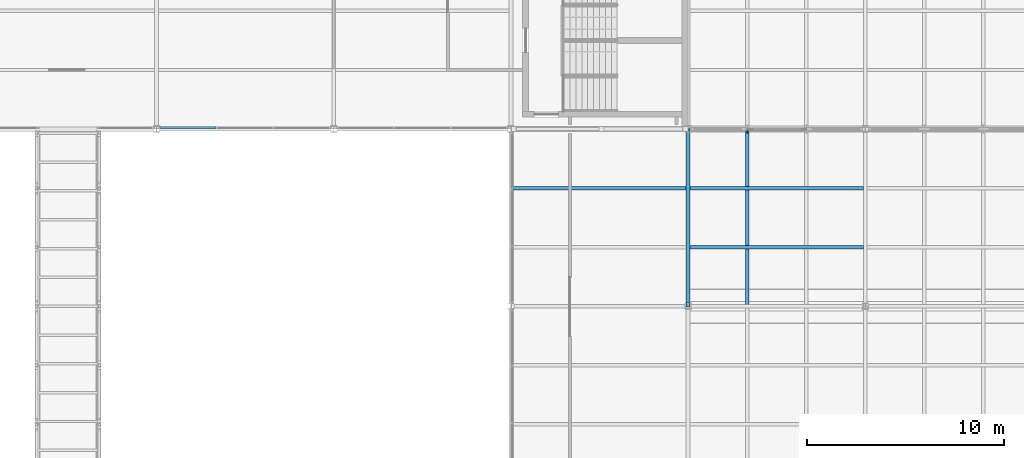
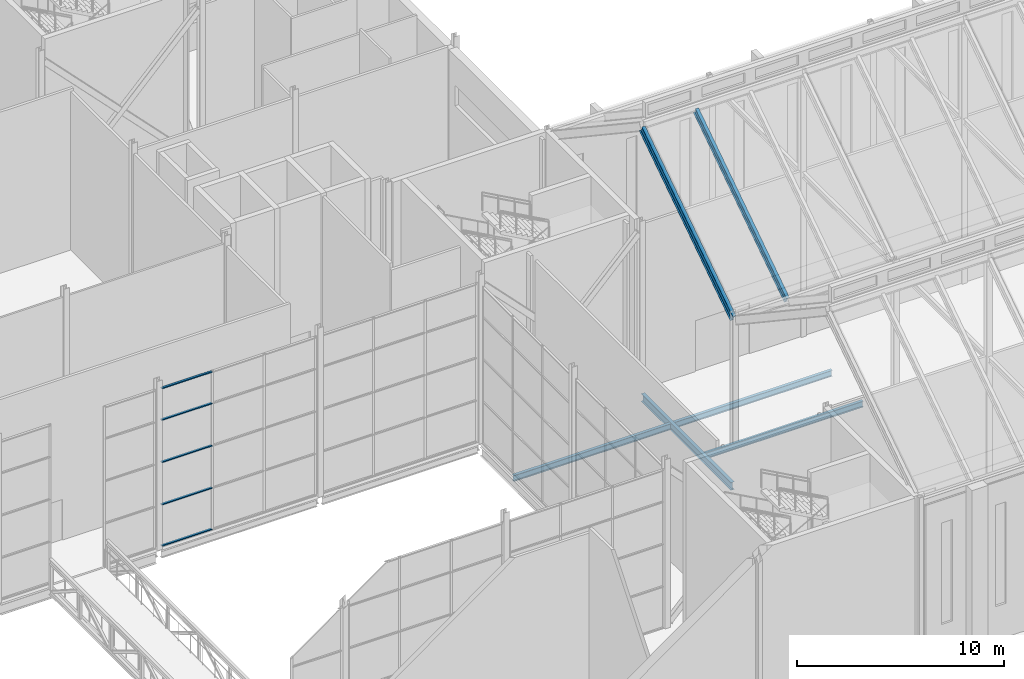
# One storey, part 59 of 111: 7 members, 4 beams, 1 element without a shape of its own.
"""IFC4 building model written with IfcOpenShell, lengths in metres."""

from ifc_helpers import new_model, si_unit, direction, frame, origin, origin_2d, place, context, subcontext, project, spatial, hollow_rectangle, i_section, extrude, material, layer, layer_set, material_profile, profile_set, type_object, element, aggregate, save


model = new_model("IFC4")

# Units and contexts
model_context = context("Model", 3, precision=1e-05, world=origin(), true_north=direction((0.0, 1.0)))
body_context = subcontext(model_context, "Body", "Model", "MODEL_VIEW")
ifc_project = project(units=[si_unit("LENGTHUNIT", "METRE"), si_unit("AREAUNIT", "SQUARE_METRE"), si_unit("VOLUMEUNIT", "CUBIC_METRE"), si_unit("PLANEANGLEUNIT", "RADIAN"), si_unit("MASSUNIT", "GRAM", prefix="KILO")], contexts=[model_context])

# Site, building, storey
site_placement = place(None, origin())
site = spatial("IfcSite", under=ifc_project, at=site_placement, CompositionType="ELEMENT")
building_placement = place(site_placement, origin())
building = spatial("IfcBuilding", under=site, at=building_placement, Name="Shorebreak Coast Museum", CompositionType="ELEMENT")
storey_placement = place(building_placement, frame((0.0, 0.0, 16.0)))
storey = spatial("IfcBuildingStorey", under=building, at=storey_placement, Name="L03", CompositionType="ELEMENT", Elevation=16.0)

# Beams
ifc_material_1 = material(Name="Steel Grade 300", Category="steel")
ifc_material_profile_1 = material_profile(ifc_material_1, i_section(OverallWidth=0.18994140625, OverallDepth=0.453857421875, WebThickness=0.008544921875, FlangeThickness=0.0126953125, FilletRadius=0.011474609375, at=origin_2d()), Name="460UB67.1")
ifc_profile_set_1 = profile_set([ifc_material_profile_1], Name="Steel Grade 300")
beam_type_1 = type_object("IfcBeamType", Name="Floor girder north-south 460UB67.1", PredefinedType="BEAM", material=ifc_profile_set_1)
beam_1_placement = place(storey_placement, frame((117.0, 72.1572265625, -0.40185546875), z_axis=(0.0, 1.0, 0.0), x_axis=(-1.0, 0.0, 0.0)))
element("IfcBeam", 1, at=beam_1_placement, inside=storey, type_object=beam_type_1, Name="Floor girder north-south L03 14J", PredefinedType="BEAM", context=body_context, shape_type="SweptSolid", body=[
    extrude(i_section(OverallWidth=0.18994140625, OverallDepth=0.453857421875, WebThickness=0.008544921875, FlangeThickness=0.0126953125, FilletRadius=0.011474609375, at=origin_2d()), origin(), (0.0, 0.0, 1.0), 8.685546875),
])
ifc_material_2 = material(Name="Steel Grade 300", Category="steel")
ifc_material_profile_2 = material_profile(ifc_material_2, i_section(OverallWidth=0.1708984375, OverallDepth=0.35205078125, WebThickness=0.0068359375, FlangeThickness=0.009765625, FilletRadius=0.011474609375, at=origin_2d()), Name="360UB44.7")
ifc_profile_set_2 = profile_set([ifc_material_profile_2], Name="Steel Grade 300")
beam_type_2 = type_object("IfcBeamType", Name="Floor joist 360UB44.7", PredefinedType="JOIST", material=ifc_profile_set_2)
for number, where, z_axis, x_axis, name in (
    (2, (117.094970703125, 75.0, -0.35107421875), (1.0, 0.0, 0.0), (0.0, 1.0, 0.0), "Floor joist L03 bay 14J at 3000 mm"),
    (3, (117.094970703125, 78.0, -0.35107421875), (1.0, 0.0, 0.0), (0.0, 1.0, 0.0), "Floor joist L03 bay 14J at 6000 mm"),
):
    element("IfcBeam", number, at=place(storey_placement, frame(where, z_axis=z_axis, x_axis=x_axis)), inside=storey, type_object=beam_type_2, Name=name, PredefinedType="JOIST", context=body_context, shape_type="SweptSolid", body=[
        extrude(i_section(OverallWidth=0.1708984375, OverallDepth=0.35205078125, WebThickness=0.0068359375, FlangeThickness=0.009765625, FilletRadius=0.011474609375, at=origin_2d()), origin(), (0.0, 0.0, 1.0), 8.81005859375),
    ])
ifc_material_3 = material(Name="Steel Grade 300", Category="steel")
ifc_material_profile_3 = material_profile(ifc_material_3, i_section(OverallWidth=0.1708984375, OverallDepth=0.355712890625, WebThickness=0.00732421875, FlangeThickness=0.011474609375, FilletRadius=0.011474609375, at=origin_2d()), Name="360UB50.7")
ifc_profile_set_3 = profile_set([ifc_material_profile_3], Name="Steel Grade 300")
beam_type_3 = type_object("IfcBeamType", Name="Floor joist 360UB50.7", PredefinedType="JOIST", material=ifc_profile_set_3)
beam_2_placement = place(storey_placement, frame((108.1044921875, 78.0, -0.352783203125), z_axis=(1.0, 0.0, 0.0), x_axis=(0.0, 1.0, 0.0)))
element("IfcBeam", 4, at=beam_2_placement, inside=storey, type_object=beam_type_3, Name="Floor joist L03 bay 13J at 6000 mm", PredefinedType="JOIST", context=body_context, shape_type="SweptSolid", body=[
    extrude(i_section(OverallWidth=0.1708984375, OverallDepth=0.355712890625, WebThickness=0.00732421875, FlangeThickness=0.011474609375, FilletRadius=0.011474609375, at=origin_2d()), origin(), (0.0, 0.0, 1.0), 8.800537109375),
])

# Members
ifc_material_4 = material(Name="Steel Grade 300", Category="steel")
ifc_material_profile_4 = material_profile(ifc_material_4, i_section(OverallWidth=0.177978515625, OverallDepth=0.402587890625, WebThickness=0.007568359375, FlangeThickness=0.010986328125, FilletRadius=0.011474609375, at=origin_2d()), Name="410UB53.7")
ifc_profile_set_4 = profile_set([ifc_material_profile_4], Name="Steel Grade 300")
member_type_1 = type_object("IfcMemberType", Name="Fold rafter 410UB53.7", PredefinedType="RAFTER", material=ifc_profile_set_4)
member_1_placement = place(storey_placement, frame((120.0, 80.910888671875, 15.458251953125), z_axis=(0.0, -0.832043209162, -0.554710823842), x_axis=(1.0, 0.0, 0.0)))
element("IfcMember", 5, at=member_1_placement, inside=storey, type_object=member_type_1, Name="Fold rafter FOLD-E line 3 02", PredefinedType="RAFTER", context=body_context, shape_type="SweptSolid", body=[
    extrude(i_section(OverallWidth=0.177978515625, OverallDepth=0.402587890625, WebThickness=0.007568359375, FlangeThickness=0.010986328125, FilletRadius=0.011474609375, at=origin_2d()), origin(), (0.0, 0.0, 1.0), 10.6025390625),
])
ifc_material_5 = material(Name="Steel Grade 300", Category="steel")
ifc_material_profile_5 = material_profile(ifc_material_5, i_section(OverallWidth=0.18994140625, OverallDepth=0.453857421875, WebThickness=0.008544921875, FlangeThickness=0.0126953125, FilletRadius=0.011474609375, at=origin_2d()), Name="460UB67.1")
ifc_profile_set_5 = profile_set([ifc_material_profile_5], Name="Steel Grade 300")
member_type_2 = type_object("IfcMemberType", Name="Fold rib rafter 460UB67.1", PredefinedType="RAFTER", material=ifc_profile_set_5)
member_2_placement = place(storey_placement, frame((117.0, 80.910888671875, 15.427490234375), z_axis=(0.0, -0.832043209162, -0.554710823842), x_axis=(1.0, 0.0, 0.0)))
element("IfcMember", 6, at=member_2_placement, inside=storey, type_object=member_type_2, Name="Fold rib rafter FOLD-E line 3 01", PredefinedType="RAFTER", context=body_context, shape_type="SweptSolid", body=[
    extrude(i_section(OverallWidth=0.18994140625, OverallDepth=0.453857421875, WebThickness=0.008544921875, FlangeThickness=0.0126953125, FilletRadius=0.011474609375, at=origin_2d()), origin(), (0.0, 0.0, 1.0), 10.6025390625),
])

# Curtain wall, members
ifc_material_6 = material(Name="Aluminium", Category="aluminium")
ifc_layer = layer(ifc_material_6, 0.1201171875)
ifc_layer_set = layer_set([ifc_layer], Name="Aluminium")
curtain_wall_type = type_object("IfcCurtainWallType", Name="Atrium fire screen", PredefinedType="NOTDEFINED", material=ifc_layer_set)
curtain_wall_placement = place(storey_placement, origin())
curtain_wall = element("IfcCurtainWall", 7, at=curtain_wall_placement, inside=storey, type_object=curtain_wall_type, Name="Atrium screen L03 N 43", PredefinedType="NOTDEFINED")
ifc_material_7 = material(Name="Aluminium", Category="aluminium")
ifc_material_profile_6 = material_profile(ifc_material_7, hollow_rectangle(XDim=0.1201171875, YDim=0.06005859375, WallThickness=0.00341796875, at=origin_2d()), Name="AL 60x120 RHS")
ifc_profile_set_6 = profile_set([ifc_material_profile_6], Name="Aluminium")
member_type_3 = type_object("IfcMemberType", Name="Screen transom 120 x 50", PredefinedType="USERDEFINED", material=ifc_profile_set_6)
member_3_placement = place(storey_placement, frame((90.20458984375, 81.06005859375, 0.06005859375), z_axis=(1.0, 0.0, 0.0), x_axis=(0.0, 1.0, 0.0)))
member_3 = element("IfcMember", 8, at=member_3_placement, type_object=member_type_3, Name="CW5 transom 1.1", ObjectType="TRANSOM", PredefinedType="USERDEFINED", context=body_context, shape_type="SweptSolid", body=[
    extrude(hollow_rectangle(XDim=0.1201171875, YDim=0.06005859375, WallThickness=0.00341796875, at=origin_2d()), origin(), (0.0, 0.0, 1.0), 2.822021484375),
])
member_4_placement = place(storey_placement, frame((90.20458984375, 81.06005859375, 2.5), z_axis=(1.0, 0.0, 0.0), x_axis=(0.0, 1.0, 0.0)))
member_4 = element("IfcMember", 9, at=member_4_placement, type_object=member_type_3, Name="CW5 transom 1.2", ObjectType="TRANSOM", PredefinedType="USERDEFINED", context=body_context, shape_type="SweptSolid", body=[
    extrude(hollow_rectangle(XDim=0.1201171875, YDim=0.06005859375, WallThickness=0.00341796875, at=origin_2d()), origin(), (0.0, 0.0, 1.0), 2.822021484375),
])
member_5_placement = place(storey_placement, frame((90.20458984375, 81.06005859375, 5.0), z_axis=(1.0, 0.0, 0.0), x_axis=(0.0, 1.0, 0.0)))
member_5 = element("IfcMember", 10, at=member_5_placement, type_object=member_type_3, Name="CW5 transom 1.3", ObjectType="TRANSOM", PredefinedType="USERDEFINED", context=body_context, shape_type="SweptSolid", body=[
    extrude(hollow_rectangle(XDim=0.1201171875, YDim=0.06005859375, WallThickness=0.00341796875, at=origin_2d()), origin(), (0.0, 0.0, 1.0), 2.822021484375),
])
member_6_placement = place(storey_placement, frame((90.20458984375, 81.06005859375, 7.5), z_axis=(1.0, 0.0, 0.0), x_axis=(0.0, 1.0, 0.0)))
member_6 = element("IfcMember", 11, at=member_6_placement, type_object=member_type_3, Name="CW5 transom 1.4", ObjectType="TRANSOM", PredefinedType="USERDEFINED", context=body_context, shape_type="SweptSolid", body=[
    extrude(hollow_rectangle(XDim=0.1201171875, YDim=0.06005859375, WallThickness=0.00341796875, at=origin_2d()), origin(), (0.0, 0.0, 1.0), 2.822021484375),
])
member_7_placement = place(storey_placement, frame((90.20458984375, 81.06005859375, 9.3623046875), z_axis=(1.0, 0.0, 0.0), x_axis=(0.0, 1.0, 0.0)))
member_7 = element("IfcMember", 12, at=member_7_placement, type_object=member_type_3, Name="CW5 transom 1.5", ObjectType="TRANSOM", PredefinedType="USERDEFINED", context=body_context, shape_type="SweptSolid", body=[
    extrude(hollow_rectangle(XDim=0.1201171875, YDim=0.06005859375, WallThickness=0.00341796875, at=origin_2d()), origin(), (0.0, 0.0, 1.0), 2.822021484375),
])
aggregate(curtain_wall, [member_3, member_4, member_5, member_6, member_7])

save(model, "model.ifc")
